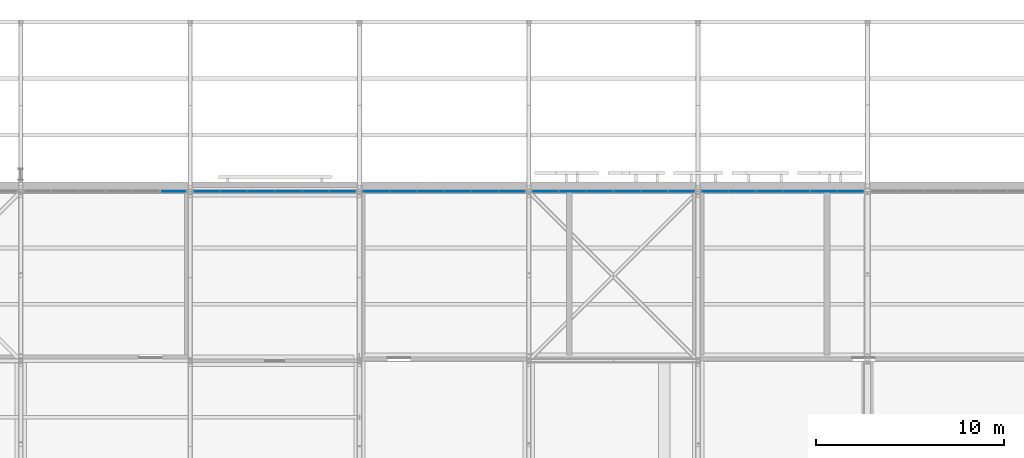
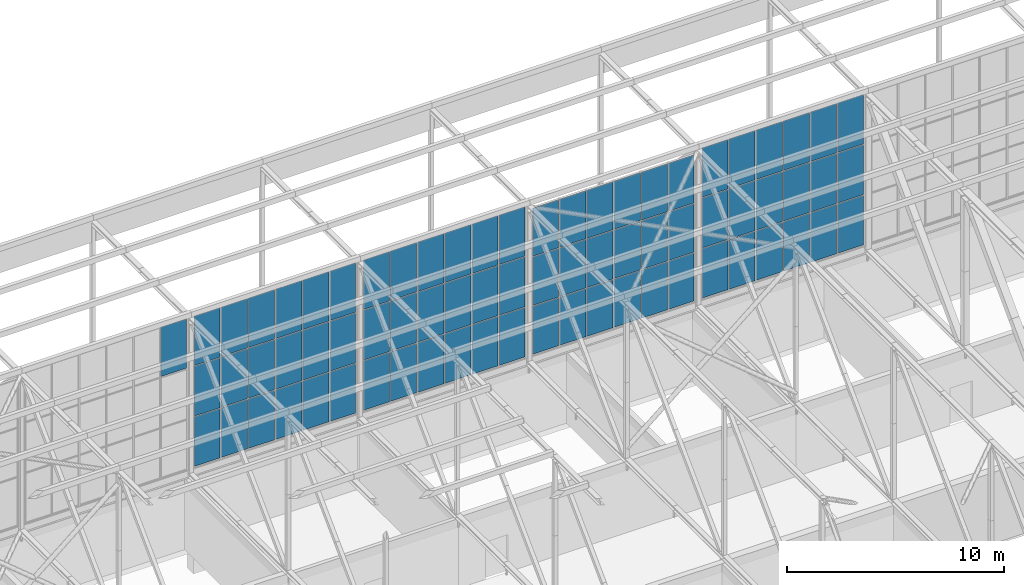
# One storey, part 160 of 646: 73 plates, 5 elements without a shape of their own.
"""IFC4 building model written with IfcOpenShell, lengths in metres."""

import ifcopenshell
import ifcopenshell.guid

model = None  # the IFC model being written
_history = None  # IfcOwnerHistory: only IFC2X3 demands one
_inside = {}  # id of a spatial element -> (the spatial element, [elements in it])
_under = {}  # id of a project, library or spatial element -> (it, [spatial elements below it])
_declared = {}  # id of a project -> (the project, [libraries it declares])
_typed = {}  # id of a type object -> (the type object, [elements of that type])
_made_of = {}  # id of a material, layer set ... -> (it, [elements and type objects made of it])


def new_model(schema):
    """Start an empty IFC model of exactly this schema.

    Asked for "IFC4X3", IfcOpenShell would pick the latest addendum, in which some entities
    have other attributes; the version numbers below select the first issue.
    IFC2X3 requires an IfcOwnerHistory on every rooted entity: one is made here for all.
    """
    global model, _history
    if schema == "IFC4X3":
        model = ifcopenshell.file(schema_version=(4, 3, 0, 0))
    else:
        model = ifcopenshell.file(schema=schema)
    _inside.clear()
    _under.clear()
    _declared.clear()
    _typed.clear()
    _made_of.clear()
    _history = None
    if model.schema == "IFC2X3":
        org = make("IfcOrganization", Name="unknown")
        user = make(
            "IfcPersonAndOrganization",
            ThePerson=make("IfcPerson", FamilyName="unknown"),
            TheOrganization=org,
        )
        app = make(
            "IfcApplication",
            ApplicationDeveloper=org,
            Version="unknown",
            ApplicationFullName="unknown",
            ApplicationIdentifier="unknown",
        )
        _history = make(
            "IfcOwnerHistory",
            OwningUser=user,
            OwningApplication=app,
            ChangeAction="ADDED",
            CreationDate=0,
        )
    return model


def make(cls, **values):
    """One entity of the class cls with the attributes given. An attribute that is None is left unset."""
    return model.create_entity(
        cls, **{name: value for name, value in values.items() if value is not None}
    )


def rooted(cls, **values):
    """An entity with a GlobalId (a new one), such as an element, a storey or a relation."""
    return make(cls, GlobalId=ifcopenshell.guid.new(), OwnerHistory=_history, **values)


def si_unit(unit_type, name, prefix=None):
    """IfcSIUnit, for example si_unit("LENGTHUNIT", "METRE", prefix="MILLI")."""
    return make("IfcSIUnit", UnitType=unit_type, Prefix=prefix, Name=name)


def assignment(units):
    """IfcUnitAssignment: the units of a project."""
    return None if units is None else make("IfcUnitAssignment", Units=units)


def point(xyz):
    """IfcCartesianPoint."""
    return None if xyz is None else make("IfcCartesianPoint", Coordinates=xyz)


def direction(xyz):
    """IfcDirection."""
    return None if xyz is None else make("IfcDirection", DirectionRatios=xyz)


def frame(location, z_axis=None, x_axis=None):
    """IfcAxis2Placement3D, a coordinate frame: its origin and axes. An axis left out is left unset."""
    return make(
        "IfcAxis2Placement3D",
        Location=point(location),
        Axis=direction(z_axis),
        RefDirection=direction(x_axis),
    )


def frame_2d(location, x_axis=None):
    """IfcAxis2Placement2D, a coordinate frame in the plane: its origin and x axis."""
    return make(
        "IfcAxis2Placement2D", Location=point(location), RefDirection=direction(x_axis)
    )


def origin():
    """The frame at (0, 0, 0) with its axes left unset."""
    return frame((0.0, 0.0, 0.0))


def origin_2d():
    """The frame at (0, 0) in the plane with its x axis left unset."""
    return frame_2d((0.0, 0.0))


def place(relative_to, where):
    """IfcLocalPlacement: puts the frame where relative to a parent placement (None: the world)."""
    return make(
        "IfcLocalPlacement", PlacementRelTo=relative_to, RelativePlacement=where
    )


def context(
    kind, dimensions, precision=None, world=None, true_north=None, identifier=None
):
    """IfcGeometricRepresentationContext, for example the 3D "Model" context."""
    return make(
        "IfcGeometricRepresentationContext",
        ContextIdentifier=identifier,
        ContextType=kind,
        CoordinateSpaceDimension=dimensions,
        Precision=precision,
        WorldCoordinateSystem=world,
        TrueNorth=true_north,
    )


def subcontext(parent, identifier, kind, view, scale=None):
    """IfcGeometricRepresentationSubContext, for example "Body" below "Model"."""
    return make(
        "IfcGeometricRepresentationSubContext",
        ContextIdentifier=identifier,
        ContextType=kind,
        ParentContext=parent,
        TargetScale=scale,
        TargetView=view,
    )


def project(units=None, contexts=None):
    """IfcProject with its units and contexts."""
    return rooted(
        "IfcProject",
        Name="project",
        RepresentationContexts=contexts,
        UnitsInContext=assignment(units),
    )


def spatial(cls, under=None, at=None, **own):
    """A site, building, storey or space (cls), placed at a placement, below another one or the project."""
    s = rooted(cls, ObjectPlacement=at, **own)
    if under is not None:
        _under.setdefault(under.id(), (under, []))[1].append(s)
    return s


def profile(cls, at=None, kind="AREA", **sizes):
    """A parametric profile (cls). Its sizes go by their IFC names, for example OverallWidth=200.0."""
    return make(cls, ProfileType=kind, Position=at, **sizes)


def rectangle(**sizes):
    """IfcRectangleProfileDef."""
    return profile("IfcRectangleProfileDef", **sizes)


def extrude(swept, where, along, depth):
    """IfcExtrudedAreaSolid: the profile swept, set in the frame where, extruded along a direction by depth."""
    return make(
        "IfcExtrudedAreaSolid",
        SweptArea=swept,
        Position=where,
        ExtrudedDirection=direction(along),
        Depth=depth,
    )


def shape(context_of_items, identifier, shape_type, items):
    """IfcShapeRepresentation: the items that make up one representation, for example the "Body"."""
    return make(
        "IfcShapeRepresentation",
        ContextOfItems=context_of_items,
        RepresentationIdentifier=identifier,
        RepresentationType=shape_type,
        Items=items,
    )


def material(Name=None, Category=None):
    """IfcMaterial."""
    return make("IfcMaterial", Name=Name, Category=Category)


def layer(
    of_material, thickness, ventilated=None, Name=None, Category=None, Priority=None
):
    """IfcMaterialLayer: one layer of a wall or slab, of a material (None: an air gap)."""
    return make(
        "IfcMaterialLayer",
        Material=of_material,
        LayerThickness=thickness,
        IsVentilated=ventilated,
        Name=Name,
        Category=Category,
        Priority=Priority,
    )


def layer_set(layers, Name=None):
    """IfcMaterialLayerSet."""
    return make("IfcMaterialLayerSet", MaterialLayers=layers, LayerSetName=Name)


def made_of(thing, what):
    """Note that an element or type object is made of a material, layer set ...; save() writes the relation."""
    if what is not None:
        _made_of.setdefault(what.id(), (what, []))[1].append(thing)
    return thing


def type_object(cls, material=None, **own):
    """A type object (cls), such as IfcWallType, which elements share."""
    return made_of(rooted(cls, **own), material)


def element(
    cls,
    number,
    at=None,
    inside=None,
    cuts=None,
    type_object=None,
    material=None,
    context=None,
    identifier="Body",
    shape_type=None,
    held_by="IfcProductDefinitionShape",
    body=None,
    shapes=None,
    **own,
):
    """One element of the class cls, such as IfcWall. Its Tag is "e" and its number.

    at: its placement. inside: the storey or other place that contains it. cuts: it is an
    opening in that element (IfcRelVoidsElement). A single representation is given by context,
    identifier, shape_type and body (its items); several are given by shapes. held_by: the class
    of the entity that holds the representations. save() writes the other relations.
    """
    e = rooted(cls, Tag="e%d" % number, ObjectPlacement=at, **own)
    if body is not None:
        shapes = [shape(context, identifier, shape_type, body)]
    if shapes is not None:
        e.Representation = make(held_by, Representations=shapes)
    if inside is not None:
        _inside.setdefault(inside.id(), (inside, []))[1].append(e)
    if cuts is not None:
        rooted(
            "IfcRelVoidsElement", RelatingBuildingElement=cuts, RelatedOpeningElement=e
        )
    if type_object is not None:
        _typed.setdefault(type_object.id(), (type_object, []))[1].append(e)
    return made_of(e, material)


def aggregate(whole, parts):
    """IfcRelAggregates: a whole, such as a stair, and the parts it consists of."""
    return rooted("IfcRelAggregates", RelatingObject=whole, RelatedObjects=parts)


def save(model, path):
    """Write the relations noted so far, then the file.

    IfcRelAggregates (storeys below a building ...), IfcRelContainedInSpatialStructure (elements
    in a storey), IfcRelDefinesByType, IfcRelAssociatesMaterial and IfcRelDeclares: one each for
    every whole, place, type object, material and project.
    """
    for whole, parts in _under.values():
        aggregate(whole, parts)
    for where, things in _inside.values():
        rooted(
            "IfcRelContainedInSpatialStructure",
            RelatedElements=things,
            RelatingStructure=where,
        )
    for kind, things in _typed.values():
        rooted("IfcRelDefinesByType", RelatedObjects=things, RelatingType=kind)
    for what, things in _made_of.values():
        rooted("IfcRelAssociatesMaterial", RelatedObjects=things, RelatingMaterial=what)
    for by, libraries in _declared.values():
        rooted("IfcRelDeclares", RelatingContext=by, RelatedDefinitions=libraries)
    model.write(path)


model = new_model("IFC4")

# Units and contexts
model_context = context("Model", 3, precision=1e-05, world=origin(), true_north=direction((0.0, 1.0)))
body_context = subcontext(model_context, "Body", "Model", "MODEL_VIEW")
ifc_project = project(units=[si_unit("LENGTHUNIT", "METRE"), si_unit("AREAUNIT", "SQUARE_METRE"), si_unit("VOLUMEUNIT", "CUBIC_METRE"), si_unit("PLANEANGLEUNIT", "RADIAN"), si_unit("MASSUNIT", "GRAM", prefix="KILO")], contexts=[model_context])

# Site, building, storey
site_placement = place(None, origin())
site = spatial("IfcSite", under=ifc_project, at=site_placement, CompositionType="ELEMENT")
building_placement = place(site_placement, origin())
building = spatial("IfcBuilding", under=site, at=building_placement, Name="Silverbay Arena", CompositionType="ELEMENT")
storey_placement = place(building_placement, frame((0.0, 0.0, 33.5)))
storey = spatial("IfcBuildingStorey", under=building, at=storey_placement, Name="L05", CompositionType="ELEMENT", Elevation=33.5)

# Curtain wall, plate
ifc_material_1 = material(Name="Aluminium framed glazing", Category="aluminium")
curtain_wall_type_1 = type_object("IfcCurtainWallType", Name="Curtain wall clerestory 8693 x 8540", PredefinedType="NOTDEFINED", material=ifc_material_1)
curtain_wall_1_placement = place(storey_placement, origin())
curtain_wall_1 = element("IfcCurtainWall", 1, at=curtain_wall_1_placement, inside=storey, type_object=curtain_wall_type_1, Name="ROOF CLERESTORY CURTAIN WALL north bay 02", PredefinedType="NOTDEFINED")
ifc_material_2 = material(Name="Laminated glass", Category="glass")
ifc_layer = layer(ifc_material_2, 0.028076171875)
ifc_layer_set = layer_set([ifc_layer], Name="Laminated glass")
plate_type = type_object("IfcPlateType", Name="Glass panel 28", PredefinedType="CURTAIN_PANEL", material=ifc_layer_set)
plate_1_placement = place(storey_placement, frame((71.10693359375, 144.0, 10.17822265625), z_axis=(0.0, 0.0, 1.0), x_axis=(1.0, 0.0, 0.0)))
plate_1 = element("IfcPlate", 2, at=plate_1_placement, type_object=plate_type, Name="CW55 panel 6.3", PredefinedType="CURTAIN_PANEL", context=body_context, shape_type="SweptSolid", body=[
    extrude(rectangle(XDim=1.35888671875, YDim=0.028076171875, at=origin_2d()), origin(), (0.0, 0.0, 1.0), 2.771728515625),
])
aggregate(curtain_wall_1, [plate_1])

# Curtain wall, plates
curtain_wall_2_placement = place(storey_placement, origin())
curtain_wall_2 = element("IfcCurtainWall", 3, at=curtain_wall_2_placement, inside=storey, type_object=curtain_wall_type_1, Name="ROOF CLERESTORY CURTAIN WALL north bay 03", PredefinedType="NOTDEFINED")
plate_2_placement = place(storey_placement, frame((72.89306640625, 144.0, 4.509765625), z_axis=(0.0, 0.0, 1.0), x_axis=(1.0, 0.0, 0.0)))
plate_2 = element("IfcPlate", 4, at=plate_2_placement, type_object=plate_type, Name="CW55 panel 1.1", PredefinedType="CURTAIN_PANEL", context=body_context, shape_type="SweptSolid", body=[
    extrude(rectangle(XDim=1.35888671875, YDim=0.028076171875, at=origin_2d()), origin(), (0.0, 0.0, 1.0), 2.771728515625),
])
plate_3_placement = place(storey_placement, frame((72.89306640625, 144.0, 7.33154296875), z_axis=(0.0, 0.0, 1.0), x_axis=(1.0, 0.0, 0.0)))
plate_3 = element("IfcPlate", 5, at=plate_3_placement, type_object=plate_type, Name="CW55 panel 1.2", PredefinedType="CURTAIN_PANEL", context=body_context, shape_type="SweptSolid", body=[
    extrude(rectangle(XDim=1.35888671875, YDim=0.028076171875, at=origin_2d()), origin(), (0.0, 0.0, 1.0), 2.796630859375),
])
plate_4_placement = place(storey_placement, frame((72.89306640625, 144.0, 10.17822265625), z_axis=(0.0, 0.0, 1.0), x_axis=(1.0, 0.0, 0.0)))
plate_4 = element("IfcPlate", 6, at=plate_4_placement, type_object=plate_type, Name="CW55 panel 1.3", PredefinedType="CURTAIN_PANEL", context=body_context, shape_type="SweptSolid", body=[
    extrude(rectangle(XDim=1.35888671875, YDim=0.028076171875, at=origin_2d()), origin(), (0.0, 0.0, 1.0), 2.771728515625),
])
plate_5_placement = place(storey_placement, frame((74.326904296875, 144.0, 4.509765625), z_axis=(0.0, 0.0, 1.0), x_axis=(1.0, 0.0, 0.0)))
plate_5 = element("IfcPlate", 7, at=plate_5_placement, type_object=plate_type, Name="CW55 panel 2.1", PredefinedType="CURTAIN_PANEL", context=body_context, shape_type="SweptSolid", body=[
    extrude(rectangle(XDim=1.388671875, YDim=0.028076171875, at=origin_2d()), origin(), (0.0, 0.0, 1.0), 2.771728515625),
])
plate_6_placement = place(storey_placement, frame((74.326904296875, 144.0, 7.33154296875), z_axis=(0.0, 0.0, 1.0), x_axis=(1.0, 0.0, 0.0)))
plate_6 = element("IfcPlate", 8, at=plate_6_placement, type_object=plate_type, Name="CW55 panel 2.2", PredefinedType="CURTAIN_PANEL", context=body_context, shape_type="SweptSolid", body=[
    extrude(rectangle(XDim=1.388671875, YDim=0.028076171875, at=origin_2d()), origin(), (0.0, 0.0, 1.0), 2.796630859375),
])
plate_7_placement = place(storey_placement, frame((74.326904296875, 144.0, 10.17822265625), z_axis=(0.0, 0.0, 1.0), x_axis=(1.0, 0.0, 0.0)))
plate_7 = element("IfcPlate", 9, at=plate_7_placement, type_object=plate_type, Name="CW55 panel 2.3", PredefinedType="CURTAIN_PANEL", context=body_context, shape_type="SweptSolid", body=[
    extrude(rectangle(XDim=1.388671875, YDim=0.028076171875, at=origin_2d()), origin(), (0.0, 0.0, 1.0), 2.771728515625),
])
plate_8_placement = place(storey_placement, frame((75.775634765625, 144.0, 4.509765625), z_axis=(0.0, 0.0, 1.0), x_axis=(1.0, 0.0, 0.0)))
plate_8 = element("IfcPlate", 10, at=plate_8_placement, type_object=plate_type, Name="CW55 panel 3.1", PredefinedType="CURTAIN_PANEL", context=body_context, shape_type="SweptSolid", body=[
    extrude(rectangle(XDim=1.388671875, YDim=0.028076171875, at=origin_2d()), origin(), (0.0, 0.0, 1.0), 2.771728515625),
])
plate_9_placement = place(storey_placement, frame((75.775634765625, 144.0, 7.33154296875), z_axis=(0.0, 0.0, 1.0), x_axis=(1.0, 0.0, 0.0)))
plate_9 = element("IfcPlate", 11, at=plate_9_placement, type_object=plate_type, Name="CW55 panel 3.2", PredefinedType="CURTAIN_PANEL", context=body_context, shape_type="SweptSolid", body=[
    extrude(rectangle(XDim=1.388671875, YDim=0.028076171875, at=origin_2d()), origin(), (0.0, 0.0, 1.0), 2.796630859375),
])
plate_10_placement = place(storey_placement, frame((75.775634765625, 144.0, 10.17822265625), z_axis=(0.0, 0.0, 1.0), x_axis=(1.0, 0.0, 0.0)))
plate_10 = element("IfcPlate", 12, at=plate_10_placement, type_object=plate_type, Name="CW55 panel 3.3", PredefinedType="CURTAIN_PANEL", context=body_context, shape_type="SweptSolid", body=[
    extrude(rectangle(XDim=1.388671875, YDim=0.028076171875, at=origin_2d()), origin(), (0.0, 0.0, 1.0), 2.771728515625),
])
plate_11_placement = place(storey_placement, frame((77.224365234375, 144.0, 4.509765625), z_axis=(0.0, 0.0, 1.0), x_axis=(1.0, 0.0, 0.0)))
plate_11 = element("IfcPlate", 13, at=plate_11_placement, type_object=plate_type, Name="CW55 panel 4.1", PredefinedType="CURTAIN_PANEL", context=body_context, shape_type="SweptSolid", body=[
    extrude(rectangle(XDim=1.388671875, YDim=0.028076171875, at=origin_2d()), origin(), (0.0, 0.0, 1.0), 2.771728515625),
])
plate_12_placement = place(storey_placement, frame((77.224365234375, 144.0, 7.33154296875), z_axis=(0.0, 0.0, 1.0), x_axis=(1.0, 0.0, 0.0)))
plate_12 = element("IfcPlate", 14, at=plate_12_placement, type_object=plate_type, Name="CW55 panel 4.2", PredefinedType="CURTAIN_PANEL", context=body_context, shape_type="SweptSolid", body=[
    extrude(rectangle(XDim=1.388671875, YDim=0.028076171875, at=origin_2d()), origin(), (0.0, 0.0, 1.0), 2.796630859375),
])
plate_13_placement = place(storey_placement, frame((77.224365234375, 144.0, 10.17822265625), z_axis=(0.0, 0.0, 1.0), x_axis=(1.0, 0.0, 0.0)))
plate_13 = element("IfcPlate", 15, at=plate_13_placement, type_object=plate_type, Name="CW55 panel 4.3", PredefinedType="CURTAIN_PANEL", context=body_context, shape_type="SweptSolid", body=[
    extrude(rectangle(XDim=1.388671875, YDim=0.028076171875, at=origin_2d()), origin(), (0.0, 0.0, 1.0), 2.771728515625),
])
plate_14_placement = place(storey_placement, frame((78.673095703125, 144.0, 4.509765625), z_axis=(0.0, 0.0, 1.0), x_axis=(1.0, 0.0, 0.0)))
plate_14 = element("IfcPlate", 16, at=plate_14_placement, type_object=plate_type, Name="CW55 panel 5.1", PredefinedType="CURTAIN_PANEL", context=body_context, shape_type="SweptSolid", body=[
    extrude(rectangle(XDim=1.388671875, YDim=0.028076171875, at=origin_2d()), origin(), (0.0, 0.0, 1.0), 2.771728515625),
])
plate_15_placement = place(storey_placement, frame((78.673095703125, 144.0, 7.33154296875), z_axis=(0.0, 0.0, 1.0), x_axis=(1.0, 0.0, 0.0)))
plate_15 = element("IfcPlate", 17, at=plate_15_placement, type_object=plate_type, Name="CW55 panel 5.2", PredefinedType="CURTAIN_PANEL", context=body_context, shape_type="SweptSolid", body=[
    extrude(rectangle(XDim=1.388671875, YDim=0.028076171875, at=origin_2d()), origin(), (0.0, 0.0, 1.0), 2.796630859375),
])
plate_16_placement = place(storey_placement, frame((78.673095703125, 144.0, 10.17822265625), z_axis=(0.0, 0.0, 1.0), x_axis=(1.0, 0.0, 0.0)))
plate_16 = element("IfcPlate", 18, at=plate_16_placement, type_object=plate_type, Name="CW55 panel 5.3", PredefinedType="CURTAIN_PANEL", context=body_context, shape_type="SweptSolid", body=[
    extrude(rectangle(XDim=1.388671875, YDim=0.028076171875, at=origin_2d()), origin(), (0.0, 0.0, 1.0), 2.771728515625),
])
plate_17_placement = place(storey_placement, frame((80.10693359375, 144.0, 4.509765625), z_axis=(0.0, 0.0, 1.0), x_axis=(1.0, 0.0, 0.0)))
plate_17 = element("IfcPlate", 19, at=plate_17_placement, type_object=plate_type, Name="CW55 panel 6.1", PredefinedType="CURTAIN_PANEL", context=body_context, shape_type="SweptSolid", body=[
    extrude(rectangle(XDim=1.35888671875, YDim=0.028076171875, at=origin_2d()), origin(), (0.0, 0.0, 1.0), 2.771728515625),
])
plate_18_placement = place(storey_placement, frame((80.10693359375, 144.0, 7.33154296875), z_axis=(0.0, 0.0, 1.0), x_axis=(1.0, 0.0, 0.0)))
plate_18 = element("IfcPlate", 20, at=plate_18_placement, type_object=plate_type, Name="CW55 panel 6.2", PredefinedType="CURTAIN_PANEL", context=body_context, shape_type="SweptSolid", body=[
    extrude(rectangle(XDim=1.35888671875, YDim=0.028076171875, at=origin_2d()), origin(), (0.0, 0.0, 1.0), 2.796630859375),
])
plate_19_placement = place(storey_placement, frame((80.10693359375, 144.0, 10.17822265625), z_axis=(0.0, 0.0, 1.0), x_axis=(1.0, 0.0, 0.0)))
plate_19 = element("IfcPlate", 21, at=plate_19_placement, type_object=plate_type, Name="CW55 panel 6.3", PredefinedType="CURTAIN_PANEL", context=body_context, shape_type="SweptSolid", body=[
    extrude(rectangle(XDim=1.35888671875, YDim=0.028076171875, at=origin_2d()), origin(), (0.0, 0.0, 1.0), 2.771728515625),
])
aggregate(curtain_wall_2, [plate_2, plate_3, plate_4, plate_5, plate_6, plate_7, plate_8, plate_9, plate_10, plate_11, plate_12, plate_13, plate_14, plate_15, plate_16, plate_17, plate_18, plate_19])

curtain_wall_3_placement = place(storey_placement, origin())
curtain_wall_3 = element("IfcCurtainWall", 22, at=curtain_wall_3_placement, inside=storey, type_object=curtain_wall_type_1, Name="ROOF CLERESTORY CURTAIN WALL north bay 04", PredefinedType="NOTDEFINED")
plate_20_placement = place(storey_placement, frame((81.89306640625, 144.0, 4.509765625), z_axis=(0.0, 0.0, 1.0), x_axis=(1.0, 0.0, 0.0)))
plate_20 = element("IfcPlate", 23, at=plate_20_placement, type_object=plate_type, Name="CW55 panel 1.1", PredefinedType="CURTAIN_PANEL", context=body_context, shape_type="SweptSolid", body=[
    extrude(rectangle(XDim=1.35888671875, YDim=0.028076171875, at=origin_2d()), origin(), (0.0, 0.0, 1.0), 2.771728515625),
])
plate_21_placement = place(storey_placement, frame((81.89306640625, 144.0, 7.33154296875), z_axis=(0.0, 0.0, 1.0), x_axis=(1.0, 0.0, 0.0)))
plate_21 = element("IfcPlate", 24, at=plate_21_placement, type_object=plate_type, Name="CW55 panel 1.2", PredefinedType="CURTAIN_PANEL", context=body_context, shape_type="SweptSolid", body=[
    extrude(rectangle(XDim=1.35888671875, YDim=0.028076171875, at=origin_2d()), origin(), (0.0, 0.0, 1.0), 2.796630859375),
])
plate_22_placement = place(storey_placement, frame((81.89306640625, 144.0, 10.17822265625), z_axis=(0.0, 0.0, 1.0), x_axis=(1.0, 0.0, 0.0)))
plate_22 = element("IfcPlate", 25, at=plate_22_placement, type_object=plate_type, Name="CW55 panel 1.3", PredefinedType="CURTAIN_PANEL", context=body_context, shape_type="SweptSolid", body=[
    extrude(rectangle(XDim=1.35888671875, YDim=0.028076171875, at=origin_2d()), origin(), (0.0, 0.0, 1.0), 2.771728515625),
])
plate_23_placement = place(storey_placement, frame((83.326904296875, 144.0, 4.509765625), z_axis=(0.0, 0.0, 1.0), x_axis=(1.0, 0.0, 0.0)))
plate_23 = element("IfcPlate", 26, at=plate_23_placement, type_object=plate_type, Name="CW55 panel 2.1", PredefinedType="CURTAIN_PANEL", context=body_context, shape_type="SweptSolid", body=[
    extrude(rectangle(XDim=1.388671875, YDim=0.028076171875, at=origin_2d()), origin(), (0.0, 0.0, 1.0), 2.771728515625),
])
plate_24_placement = place(storey_placement, frame((83.326904296875, 144.0, 7.33154296875), z_axis=(0.0, 0.0, 1.0), x_axis=(1.0, 0.0, 0.0)))
plate_24 = element("IfcPlate", 27, at=plate_24_placement, type_object=plate_type, Name="CW55 panel 2.2", PredefinedType="CURTAIN_PANEL", context=body_context, shape_type="SweptSolid", body=[
    extrude(rectangle(XDim=1.388671875, YDim=0.028076171875, at=origin_2d()), origin(), (0.0, 0.0, 1.0), 2.796630859375),
])
plate_25_placement = place(storey_placement, frame((83.326904296875, 144.0, 10.17822265625), z_axis=(0.0, 0.0, 1.0), x_axis=(1.0, 0.0, 0.0)))
plate_25 = element("IfcPlate", 28, at=plate_25_placement, type_object=plate_type, Name="CW55 panel 2.3", PredefinedType="CURTAIN_PANEL", context=body_context, shape_type="SweptSolid", body=[
    extrude(rectangle(XDim=1.388671875, YDim=0.028076171875, at=origin_2d()), origin(), (0.0, 0.0, 1.0), 2.771728515625),
])
plate_26_placement = place(storey_placement, frame((84.775634765625, 144.0, 4.509765625), z_axis=(0.0, 0.0, 1.0), x_axis=(1.0, 0.0, 0.0)))
plate_26 = element("IfcPlate", 29, at=plate_26_placement, type_object=plate_type, Name="CW55 panel 3.1", PredefinedType="CURTAIN_PANEL", context=body_context, shape_type="SweptSolid", body=[
    extrude(rectangle(XDim=1.388671875, YDim=0.028076171875, at=origin_2d()), origin(), (0.0, 0.0, 1.0), 2.771728515625),
])
plate_27_placement = place(storey_placement, frame((84.775634765625, 144.0, 7.33154296875), z_axis=(0.0, 0.0, 1.0), x_axis=(1.0, 0.0, 0.0)))
plate_27 = element("IfcPlate", 30, at=plate_27_placement, type_object=plate_type, Name="CW55 panel 3.2", PredefinedType="CURTAIN_PANEL", context=body_context, shape_type="SweptSolid", body=[
    extrude(rectangle(XDim=1.388671875, YDim=0.028076171875, at=origin_2d()), origin(), (0.0, 0.0, 1.0), 2.796630859375),
])
plate_28_placement = place(storey_placement, frame((84.775634765625, 144.0, 10.17822265625), z_axis=(0.0, 0.0, 1.0), x_axis=(1.0, 0.0, 0.0)))
plate_28 = element("IfcPlate", 31, at=plate_28_placement, type_object=plate_type, Name="CW55 panel 3.3", PredefinedType="CURTAIN_PANEL", context=body_context, shape_type="SweptSolid", body=[
    extrude(rectangle(XDim=1.388671875, YDim=0.028076171875, at=origin_2d()), origin(), (0.0, 0.0, 1.0), 2.771728515625),
])
plate_29_placement = place(storey_placement, frame((86.224365234375, 144.0, 4.509765625), z_axis=(0.0, 0.0, 1.0), x_axis=(1.0, 0.0, 0.0)))
plate_29 = element("IfcPlate", 32, at=plate_29_placement, type_object=plate_type, Name="CW55 panel 4.1", PredefinedType="CURTAIN_PANEL", context=body_context, shape_type="SweptSolid", body=[
    extrude(rectangle(XDim=1.388671875, YDim=0.028076171875, at=origin_2d()), origin(), (0.0, 0.0, 1.0), 2.771728515625),
])
plate_30_placement = place(storey_placement, frame((86.224365234375, 144.0, 7.33154296875), z_axis=(0.0, 0.0, 1.0), x_axis=(1.0, 0.0, 0.0)))
plate_30 = element("IfcPlate", 33, at=plate_30_placement, type_object=plate_type, Name="CW55 panel 4.2", PredefinedType="CURTAIN_PANEL", context=body_context, shape_type="SweptSolid", body=[
    extrude(rectangle(XDim=1.388671875, YDim=0.028076171875, at=origin_2d()), origin(), (0.0, 0.0, 1.0), 2.796630859375),
])
plate_31_placement = place(storey_placement, frame((86.224365234375, 144.0, 10.17822265625), z_axis=(0.0, 0.0, 1.0), x_axis=(1.0, 0.0, 0.0)))
plate_31 = element("IfcPlate", 34, at=plate_31_placement, type_object=plate_type, Name="CW55 panel 4.3", PredefinedType="CURTAIN_PANEL", context=body_context, shape_type="SweptSolid", body=[
    extrude(rectangle(XDim=1.388671875, YDim=0.028076171875, at=origin_2d()), origin(), (0.0, 0.0, 1.0), 2.771728515625),
])
plate_32_placement = place(storey_placement, frame((87.673095703125, 144.0, 4.509765625), z_axis=(0.0, 0.0, 1.0), x_axis=(1.0, 0.0, 0.0)))
plate_32 = element("IfcPlate", 35, at=plate_32_placement, type_object=plate_type, Name="CW55 panel 5.1", PredefinedType="CURTAIN_PANEL", context=body_context, shape_type="SweptSolid", body=[
    extrude(rectangle(XDim=1.388671875, YDim=0.028076171875, at=origin_2d()), origin(), (0.0, 0.0, 1.0), 2.771728515625),
])
plate_33_placement = place(storey_placement, frame((87.673095703125, 144.0, 7.33154296875), z_axis=(0.0, 0.0, 1.0), x_axis=(1.0, 0.0, 0.0)))
plate_33 = element("IfcPlate", 36, at=plate_33_placement, type_object=plate_type, Name="CW55 panel 5.2", PredefinedType="CURTAIN_PANEL", context=body_context, shape_type="SweptSolid", body=[
    extrude(rectangle(XDim=1.388671875, YDim=0.028076171875, at=origin_2d()), origin(), (0.0, 0.0, 1.0), 2.796630859375),
])
plate_34_placement = place(storey_placement, frame((87.673095703125, 144.0, 10.17822265625), z_axis=(0.0, 0.0, 1.0), x_axis=(1.0, 0.0, 0.0)))
plate_34 = element("IfcPlate", 37, at=plate_34_placement, type_object=plate_type, Name="CW55 panel 5.3", PredefinedType="CURTAIN_PANEL", context=body_context, shape_type="SweptSolid", body=[
    extrude(rectangle(XDim=1.388671875, YDim=0.028076171875, at=origin_2d()), origin(), (0.0, 0.0, 1.0), 2.771728515625),
])
plate_35_placement = place(storey_placement, frame((89.10693359375, 144.0, 4.509765625), z_axis=(0.0, 0.0, 1.0), x_axis=(1.0, 0.0, 0.0)))
plate_35 = element("IfcPlate", 38, at=plate_35_placement, type_object=plate_type, Name="CW55 panel 6.1", PredefinedType="CURTAIN_PANEL", context=body_context, shape_type="SweptSolid", body=[
    extrude(rectangle(XDim=1.35888671875, YDim=0.028076171875, at=origin_2d()), origin(), (0.0, 0.0, 1.0), 2.771728515625),
])
plate_36_placement = place(storey_placement, frame((89.10693359375, 144.0, 7.33154296875), z_axis=(0.0, 0.0, 1.0), x_axis=(1.0, 0.0, 0.0)))
plate_36 = element("IfcPlate", 39, at=plate_36_placement, type_object=plate_type, Name="CW55 panel 6.2", PredefinedType="CURTAIN_PANEL", context=body_context, shape_type="SweptSolid", body=[
    extrude(rectangle(XDim=1.35888671875, YDim=0.028076171875, at=origin_2d()), origin(), (0.0, 0.0, 1.0), 2.796630859375),
])
plate_37_placement = place(storey_placement, frame((89.10693359375, 144.0, 10.17822265625), z_axis=(0.0, 0.0, 1.0), x_axis=(1.0, 0.0, 0.0)))
plate_37 = element("IfcPlate", 40, at=plate_37_placement, type_object=plate_type, Name="CW55 panel 6.3", PredefinedType="CURTAIN_PANEL", context=body_context, shape_type="SweptSolid", body=[
    extrude(rectangle(XDim=1.35888671875, YDim=0.028076171875, at=origin_2d()), origin(), (0.0, 0.0, 1.0), 2.771728515625),
])
aggregate(curtain_wall_3, [plate_20, plate_21, plate_22, plate_23, plate_24, plate_25, plate_26, plate_27, plate_28, plate_29, plate_30, plate_31, plate_32, plate_33, plate_34, plate_35, plate_36, plate_37])

ifc_material_3 = material(Name="Aluminium framed glazing", Category="aluminium")
curtain_wall_type_2 = type_object("IfcCurtainWallType", Name="Curtain wall clerestory 8693 x 8303", PredefinedType="NOTDEFINED", material=ifc_material_3)
curtain_wall_4_placement = place(storey_placement, origin())
curtain_wall_4 = element("IfcCurtainWall", 41, at=curtain_wall_4_placement, inside=storey, type_object=curtain_wall_type_2, Name="ROOF CLERESTORY CURTAIN WALL north bay 05", PredefinedType="NOTDEFINED")
plate_38_placement = place(storey_placement, frame((90.89306640625, 144.0, 4.510009765625), z_axis=(0.0, 0.0, 1.0), x_axis=(1.0, 0.0, 0.0)))
plate_38 = element("IfcPlate", 42, at=plate_38_placement, type_object=plate_type, Name="CW54 panel 1.1", PredefinedType="CURTAIN_PANEL", context=body_context, shape_type="SweptSolid", body=[
    extrude(rectangle(XDim=1.35888671875, YDim=0.028076171875, at=origin_2d()), origin(), (0.0, 0.0, 1.0), 2.69287109375),
])
plate_39_placement = place(storey_placement, frame((90.89306640625, 144.0, 7.2529296875), z_axis=(0.0, 0.0, 1.0), x_axis=(1.0, 0.0, 0.0)))
plate_39 = element("IfcPlate", 43, at=plate_39_placement, type_object=plate_type, Name="CW54 panel 1.2", PredefinedType="CURTAIN_PANEL", context=body_context, shape_type="SweptSolid", body=[
    extrude(rectangle(XDim=1.35888671875, YDim=0.028076171875, at=origin_2d()), origin(), (0.0, 0.0, 1.0), 2.7177734375),
])
plate_40_placement = place(storey_placement, frame((90.89306640625, 144.0, 10.0205078125), z_axis=(0.0, 0.0, 1.0), x_axis=(1.0, 0.0, 0.0)))
plate_40 = element("IfcPlate", 44, at=plate_40_placement, type_object=plate_type, Name="CW54 panel 1.3", PredefinedType="CURTAIN_PANEL", context=body_context, shape_type="SweptSolid", body=[
    extrude(rectangle(XDim=1.35888671875, YDim=0.028076171875, at=origin_2d()), origin(), (0.0, 0.0, 1.0), 2.69287109375),
])
plate_41_placement = place(storey_placement, frame((92.326904296875, 144.0, 4.510009765625), z_axis=(0.0, 0.0, 1.0), x_axis=(1.0, 0.0, 0.0)))
plate_41 = element("IfcPlate", 45, at=plate_41_placement, type_object=plate_type, Name="CW54 panel 2.1", PredefinedType="CURTAIN_PANEL", context=body_context, shape_type="SweptSolid", body=[
    extrude(rectangle(XDim=1.388671875, YDim=0.028076171875, at=origin_2d()), origin(), (0.0, 0.0, 1.0), 2.69287109375),
])
plate_42_placement = place(storey_placement, frame((92.326904296875, 144.0, 7.2529296875), z_axis=(0.0, 0.0, 1.0), x_axis=(1.0, 0.0, 0.0)))
plate_42 = element("IfcPlate", 46, at=plate_42_placement, type_object=plate_type, Name="CW54 panel 2.2", PredefinedType="CURTAIN_PANEL", context=body_context, shape_type="SweptSolid", body=[
    extrude(rectangle(XDim=1.388671875, YDim=0.028076171875, at=origin_2d()), origin(), (0.0, 0.0, 1.0), 2.7177734375),
])
plate_43_placement = place(storey_placement, frame((92.326904296875, 144.0, 10.0205078125), z_axis=(0.0, 0.0, 1.0), x_axis=(1.0, 0.0, 0.0)))
plate_43 = element("IfcPlate", 47, at=plate_43_placement, type_object=plate_type, Name="CW54 panel 2.3", PredefinedType="CURTAIN_PANEL", context=body_context, shape_type="SweptSolid", body=[
    extrude(rectangle(XDim=1.388671875, YDim=0.028076171875, at=origin_2d()), origin(), (0.0, 0.0, 1.0), 2.69287109375),
])
plate_44_placement = place(storey_placement, frame((93.775634765625, 144.0, 4.510009765625), z_axis=(0.0, 0.0, 1.0), x_axis=(1.0, 0.0, 0.0)))
plate_44 = element("IfcPlate", 48, at=plate_44_placement, type_object=plate_type, Name="CW54 panel 3.1", PredefinedType="CURTAIN_PANEL", context=body_context, shape_type="SweptSolid", body=[
    extrude(rectangle(XDim=1.388671875, YDim=0.028076171875, at=origin_2d()), origin(), (0.0, 0.0, 1.0), 2.69287109375),
])
plate_45_placement = place(storey_placement, frame((93.775634765625, 144.0, 7.2529296875), z_axis=(0.0, 0.0, 1.0), x_axis=(1.0, 0.0, 0.0)))
plate_45 = element("IfcPlate", 49, at=plate_45_placement, type_object=plate_type, Name="CW54 panel 3.2", PredefinedType="CURTAIN_PANEL", context=body_context, shape_type="SweptSolid", body=[
    extrude(rectangle(XDim=1.388671875, YDim=0.028076171875, at=origin_2d()), origin(), (0.0, 0.0, 1.0), 2.7177734375),
])
plate_46_placement = place(storey_placement, frame((93.775634765625, 144.0, 10.0205078125), z_axis=(0.0, 0.0, 1.0), x_axis=(1.0, 0.0, 0.0)))
plate_46 = element("IfcPlate", 50, at=plate_46_placement, type_object=plate_type, Name="CW54 panel 3.3", PredefinedType="CURTAIN_PANEL", context=body_context, shape_type="SweptSolid", body=[
    extrude(rectangle(XDim=1.388671875, YDim=0.028076171875, at=origin_2d()), origin(), (0.0, 0.0, 1.0), 2.69287109375),
])
plate_47_placement = place(storey_placement, frame((95.224365234375, 144.0, 4.510009765625), z_axis=(0.0, 0.0, 1.0), x_axis=(1.0, 0.0, 0.0)))
plate_47 = element("IfcPlate", 51, at=plate_47_placement, type_object=plate_type, Name="CW54 panel 4.1", PredefinedType="CURTAIN_PANEL", context=body_context, shape_type="SweptSolid", body=[
    extrude(rectangle(XDim=1.388671875, YDim=0.028076171875, at=origin_2d()), origin(), (0.0, 0.0, 1.0), 2.69287109375),
])
plate_48_placement = place(storey_placement, frame((95.224365234375, 144.0, 7.2529296875), z_axis=(0.0, 0.0, 1.0), x_axis=(1.0, 0.0, 0.0)))
plate_48 = element("IfcPlate", 52, at=plate_48_placement, type_object=plate_type, Name="CW54 panel 4.2", PredefinedType="CURTAIN_PANEL", context=body_context, shape_type="SweptSolid", body=[
    extrude(rectangle(XDim=1.388671875, YDim=0.028076171875, at=origin_2d()), origin(), (0.0, 0.0, 1.0), 2.7177734375),
])
plate_49_placement = place(storey_placement, frame((95.224365234375, 144.0, 10.0205078125), z_axis=(0.0, 0.0, 1.0), x_axis=(1.0, 0.0, 0.0)))
plate_49 = element("IfcPlate", 53, at=plate_49_placement, type_object=plate_type, Name="CW54 panel 4.3", PredefinedType="CURTAIN_PANEL", context=body_context, shape_type="SweptSolid", body=[
    extrude(rectangle(XDim=1.388671875, YDim=0.028076171875, at=origin_2d()), origin(), (0.0, 0.0, 1.0), 2.69287109375),
])
plate_50_placement = place(storey_placement, frame((96.673095703125, 144.0, 4.510009765625), z_axis=(0.0, 0.0, 1.0), x_axis=(1.0, 0.0, 0.0)))
plate_50 = element("IfcPlate", 54, at=plate_50_placement, type_object=plate_type, Name="CW54 panel 5.1", PredefinedType="CURTAIN_PANEL", context=body_context, shape_type="SweptSolid", body=[
    extrude(rectangle(XDim=1.388671875, YDim=0.028076171875, at=origin_2d()), origin(), (0.0, 0.0, 1.0), 2.69287109375),
])
plate_51_placement = place(storey_placement, frame((96.673095703125, 144.0, 7.2529296875), z_axis=(0.0, 0.0, 1.0), x_axis=(1.0, 0.0, 0.0)))
plate_51 = element("IfcPlate", 55, at=plate_51_placement, type_object=plate_type, Name="CW54 panel 5.2", PredefinedType="CURTAIN_PANEL", context=body_context, shape_type="SweptSolid", body=[
    extrude(rectangle(XDim=1.388671875, YDim=0.028076171875, at=origin_2d()), origin(), (0.0, 0.0, 1.0), 2.7177734375),
])
plate_52_placement = place(storey_placement, frame((96.673095703125, 144.0, 10.0205078125), z_axis=(0.0, 0.0, 1.0), x_axis=(1.0, 0.0, 0.0)))
plate_52 = element("IfcPlate", 56, at=plate_52_placement, type_object=plate_type, Name="CW54 panel 5.3", PredefinedType="CURTAIN_PANEL", context=body_context, shape_type="SweptSolid", body=[
    extrude(rectangle(XDim=1.388671875, YDim=0.028076171875, at=origin_2d()), origin(), (0.0, 0.0, 1.0), 2.69287109375),
])
plate_53_placement = place(storey_placement, frame((98.10693359375, 144.0, 4.510009765625), z_axis=(0.0, 0.0, 1.0), x_axis=(1.0, 0.0, 0.0)))
plate_53 = element("IfcPlate", 57, at=plate_53_placement, type_object=plate_type, Name="CW54 panel 6.1", PredefinedType="CURTAIN_PANEL", context=body_context, shape_type="SweptSolid", body=[
    extrude(rectangle(XDim=1.35888671875, YDim=0.028076171875, at=origin_2d()), origin(), (0.0, 0.0, 1.0), 2.69287109375),
])
plate_54_placement = place(storey_placement, frame((98.10693359375, 144.0, 7.2529296875), z_axis=(0.0, 0.0, 1.0), x_axis=(1.0, 0.0, 0.0)))
plate_54 = element("IfcPlate", 58, at=plate_54_placement, type_object=plate_type, Name="CW54 panel 6.2", PredefinedType="CURTAIN_PANEL", context=body_context, shape_type="SweptSolid", body=[
    extrude(rectangle(XDim=1.35888671875, YDim=0.028076171875, at=origin_2d()), origin(), (0.0, 0.0, 1.0), 2.7177734375),
])
plate_55_placement = place(storey_placement, frame((98.10693359375, 144.0, 10.0205078125), z_axis=(0.0, 0.0, 1.0), x_axis=(1.0, 0.0, 0.0)))
plate_55 = element("IfcPlate", 59, at=plate_55_placement, type_object=plate_type, Name="CW54 panel 6.3", PredefinedType="CURTAIN_PANEL", context=body_context, shape_type="SweptSolid", body=[
    extrude(rectangle(XDim=1.35888671875, YDim=0.028076171875, at=origin_2d()), origin(), (0.0, 0.0, 1.0), 2.69287109375),
])
aggregate(curtain_wall_4, [plate_38, plate_39, plate_40, plate_41, plate_42, plate_43, plate_44, plate_45, plate_46, plate_47, plate_48, plate_49, plate_50, plate_51, plate_52, plate_53, plate_54, plate_55])

curtain_wall_5_placement = place(storey_placement, origin())
curtain_wall_5 = element("IfcCurtainWall", 60, at=curtain_wall_5_placement, inside=storey, type_object=curtain_wall_type_1, Name="ROOF CLERESTORY CURTAIN WALL north bay 06", PredefinedType="NOTDEFINED")
plate_56_placement = place(storey_placement, frame((99.89306640625, 144.0, 4.509765625), z_axis=(0.0, 0.0, 1.0), x_axis=(1.0, 0.0, 0.0)))
plate_56 = element("IfcPlate", 61, at=plate_56_placement, type_object=plate_type, Name="CW55 panel 1.1", PredefinedType="CURTAIN_PANEL", context=body_context, shape_type="SweptSolid", body=[
    extrude(rectangle(XDim=1.35888671875, YDim=0.028076171875, at=origin_2d()), origin(), (0.0, 0.0, 1.0), 2.771728515625),
])
plate_57_placement = place(storey_placement, frame((99.89306640625, 144.0, 7.33154296875), z_axis=(0.0, 0.0, 1.0), x_axis=(1.0, 0.0, 0.0)))
plate_57 = element("IfcPlate", 62, at=plate_57_placement, type_object=plate_type, Name="CW55 panel 1.2", PredefinedType="CURTAIN_PANEL", context=body_context, shape_type="SweptSolid", body=[
    extrude(rectangle(XDim=1.35888671875, YDim=0.028076171875, at=origin_2d()), origin(), (0.0, 0.0, 1.0), 2.796630859375),
])
plate_58_placement = place(storey_placement, frame((99.89306640625, 144.0, 10.17822265625), z_axis=(0.0, 0.0, 1.0), x_axis=(1.0, 0.0, 0.0)))
plate_58 = element("IfcPlate", 63, at=plate_58_placement, type_object=plate_type, Name="CW55 panel 1.3", PredefinedType="CURTAIN_PANEL", context=body_context, shape_type="SweptSolid", body=[
    extrude(rectangle(XDim=1.35888671875, YDim=0.028076171875, at=origin_2d()), origin(), (0.0, 0.0, 1.0), 2.771728515625),
])
plate_59_placement = place(storey_placement, frame((101.326904296875, 144.0, 4.509765625), z_axis=(0.0, 0.0, 1.0), x_axis=(1.0, 0.0, 0.0)))
plate_59 = element("IfcPlate", 64, at=plate_59_placement, type_object=plate_type, Name="CW55 panel 2.1", PredefinedType="CURTAIN_PANEL", context=body_context, shape_type="SweptSolid", body=[
    extrude(rectangle(XDim=1.388671875, YDim=0.028076171875, at=origin_2d()), origin(), (0.0, 0.0, 1.0), 2.771728515625),
])
plate_60_placement = place(storey_placement, frame((101.326904296875, 144.0, 7.33154296875), z_axis=(0.0, 0.0, 1.0), x_axis=(1.0, 0.0, 0.0)))
plate_60 = element("IfcPlate", 65, at=plate_60_placement, type_object=plate_type, Name="CW55 panel 2.2", PredefinedType="CURTAIN_PANEL", context=body_context, shape_type="SweptSolid", body=[
    extrude(rectangle(XDim=1.388671875, YDim=0.028076171875, at=origin_2d()), origin(), (0.0, 0.0, 1.0), 2.796630859375),
])
plate_61_placement = place(storey_placement, frame((101.326904296875, 144.0, 10.17822265625), z_axis=(0.0, 0.0, 1.0), x_axis=(1.0, 0.0, 0.0)))
plate_61 = element("IfcPlate", 66, at=plate_61_placement, type_object=plate_type, Name="CW55 panel 2.3", PredefinedType="CURTAIN_PANEL", context=body_context, shape_type="SweptSolid", body=[
    extrude(rectangle(XDim=1.388671875, YDim=0.028076171875, at=origin_2d()), origin(), (0.0, 0.0, 1.0), 2.771728515625),
])
plate_62_placement = place(storey_placement, frame((102.775634765625, 144.0, 4.509765625), z_axis=(0.0, 0.0, 1.0), x_axis=(1.0, 0.0, 0.0)))
plate_62 = element("IfcPlate", 67, at=plate_62_placement, type_object=plate_type, Name="CW55 panel 3.1", PredefinedType="CURTAIN_PANEL", context=body_context, shape_type="SweptSolid", body=[
    extrude(rectangle(XDim=1.388671875, YDim=0.028076171875, at=origin_2d()), origin(), (0.0, 0.0, 1.0), 2.771728515625),
])
plate_63_placement = place(storey_placement, frame((102.775634765625, 144.0, 7.33154296875), z_axis=(0.0, 0.0, 1.0), x_axis=(1.0, 0.0, 0.0)))
plate_63 = element("IfcPlate", 68, at=plate_63_placement, type_object=plate_type, Name="CW55 panel 3.2", PredefinedType="CURTAIN_PANEL", context=body_context, shape_type="SweptSolid", body=[
    extrude(rectangle(XDim=1.388671875, YDim=0.028076171875, at=origin_2d()), origin(), (0.0, 0.0, 1.0), 2.796630859375),
])
plate_64_placement = place(storey_placement, frame((102.775634765625, 144.0, 10.17822265625), z_axis=(0.0, 0.0, 1.0), x_axis=(1.0, 0.0, 0.0)))
plate_64 = element("IfcPlate", 69, at=plate_64_placement, type_object=plate_type, Name="CW55 panel 3.3", PredefinedType="CURTAIN_PANEL", context=body_context, shape_type="SweptSolid", body=[
    extrude(rectangle(XDim=1.388671875, YDim=0.028076171875, at=origin_2d()), origin(), (0.0, 0.0, 1.0), 2.771728515625),
])
plate_65_placement = place(storey_placement, frame((104.224365234375, 144.0, 4.509765625), z_axis=(0.0, 0.0, 1.0), x_axis=(1.0, 0.0, 0.0)))
plate_65 = element("IfcPlate", 70, at=plate_65_placement, type_object=plate_type, Name="CW55 panel 4.1", PredefinedType="CURTAIN_PANEL", context=body_context, shape_type="SweptSolid", body=[
    extrude(rectangle(XDim=1.388671875, YDim=0.028076171875, at=origin_2d()), origin(), (0.0, 0.0, 1.0), 2.771728515625),
])
plate_66_placement = place(storey_placement, frame((104.224365234375, 144.0, 7.33154296875), z_axis=(0.0, 0.0, 1.0), x_axis=(1.0, 0.0, 0.0)))
plate_66 = element("IfcPlate", 71, at=plate_66_placement, type_object=plate_type, Name="CW55 panel 4.2", PredefinedType="CURTAIN_PANEL", context=body_context, shape_type="SweptSolid", body=[
    extrude(rectangle(XDim=1.388671875, YDim=0.028076171875, at=origin_2d()), origin(), (0.0, 0.0, 1.0), 2.796630859375),
])
plate_67_placement = place(storey_placement, frame((104.224365234375, 144.0, 10.17822265625), z_axis=(0.0, 0.0, 1.0), x_axis=(1.0, 0.0, 0.0)))
plate_67 = element("IfcPlate", 72, at=plate_67_placement, type_object=plate_type, Name="CW55 panel 4.3", PredefinedType="CURTAIN_PANEL", context=body_context, shape_type="SweptSolid", body=[
    extrude(rectangle(XDim=1.388671875, YDim=0.028076171875, at=origin_2d()), origin(), (0.0, 0.0, 1.0), 2.771728515625),
])
plate_68_placement = place(storey_placement, frame((105.673095703125, 144.0, 4.509765625), z_axis=(0.0, 0.0, 1.0), x_axis=(1.0, 0.0, 0.0)))
plate_68 = element("IfcPlate", 73, at=plate_68_placement, type_object=plate_type, Name="CW55 panel 5.1", PredefinedType="CURTAIN_PANEL", context=body_context, shape_type="SweptSolid", body=[
    extrude(rectangle(XDim=1.388671875, YDim=0.028076171875, at=origin_2d()), origin(), (0.0, 0.0, 1.0), 2.771728515625),
])
plate_69_placement = place(storey_placement, frame((105.673095703125, 144.0, 7.33154296875), z_axis=(0.0, 0.0, 1.0), x_axis=(1.0, 0.0, 0.0)))
plate_69 = element("IfcPlate", 74, at=plate_69_placement, type_object=plate_type, Name="CW55 panel 5.2", PredefinedType="CURTAIN_PANEL", context=body_context, shape_type="SweptSolid", body=[
    extrude(rectangle(XDim=1.388671875, YDim=0.028076171875, at=origin_2d()), origin(), (0.0, 0.0, 1.0), 2.796630859375),
])
plate_70_placement = place(storey_placement, frame((105.673095703125, 144.0, 10.17822265625), z_axis=(0.0, 0.0, 1.0), x_axis=(1.0, 0.0, 0.0)))
plate_70 = element("IfcPlate", 75, at=plate_70_placement, type_object=plate_type, Name="CW55 panel 5.3", PredefinedType="CURTAIN_PANEL", context=body_context, shape_type="SweptSolid", body=[
    extrude(rectangle(XDim=1.388671875, YDim=0.028076171875, at=origin_2d()), origin(), (0.0, 0.0, 1.0), 2.771728515625),
])
plate_71_placement = place(storey_placement, frame((107.10693359375, 144.0, 4.509765625), z_axis=(0.0, 0.0, 1.0), x_axis=(1.0, 0.0, 0.0)))
plate_71 = element("IfcPlate", 76, at=plate_71_placement, type_object=plate_type, Name="CW55 panel 6.1", PredefinedType="CURTAIN_PANEL", context=body_context, shape_type="SweptSolid", body=[
    extrude(rectangle(XDim=1.35888671875, YDim=0.028076171875, at=origin_2d()), origin(), (0.0, 0.0, 1.0), 2.771728515625),
])
plate_72_placement = place(storey_placement, frame((107.10693359375, 144.0, 7.33154296875), z_axis=(0.0, 0.0, 1.0), x_axis=(1.0, 0.0, 0.0)))
plate_72 = element("IfcPlate", 77, at=plate_72_placement, type_object=plate_type, Name="CW55 panel 6.2", PredefinedType="CURTAIN_PANEL", context=body_context, shape_type="SweptSolid", body=[
    extrude(rectangle(XDim=1.35888671875, YDim=0.028076171875, at=origin_2d()), origin(), (0.0, 0.0, 1.0), 2.796630859375),
])
plate_73_placement = place(storey_placement, frame((107.10693359375, 144.0, 10.17822265625), z_axis=(0.0, 0.0, 1.0), x_axis=(1.0, 0.0, 0.0)))
plate_73 = element("IfcPlate", 78, at=plate_73_placement, type_object=plate_type, Name="CW55 panel 6.3", PredefinedType="CURTAIN_PANEL", context=body_context, shape_type="SweptSolid", body=[
    extrude(rectangle(XDim=1.35888671875, YDim=0.028076171875, at=origin_2d()), origin(), (0.0, 0.0, 1.0), 2.771728515625),
])
aggregate(curtain_wall_5, [plate_56, plate_57, plate_58, plate_59, plate_60, plate_61, plate_62, plate_63, plate_64, plate_65, plate_66, plate_67, plate_68, plate_69, plate_70, plate_71, plate_72, plate_73])

save(model, "model.ifc")
